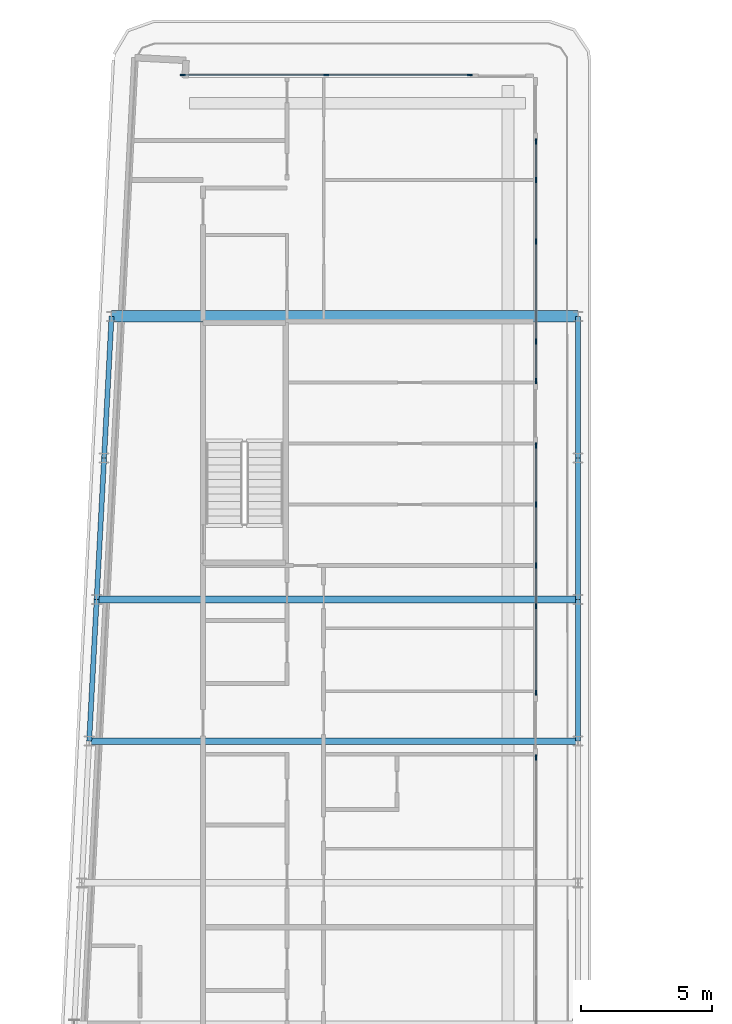
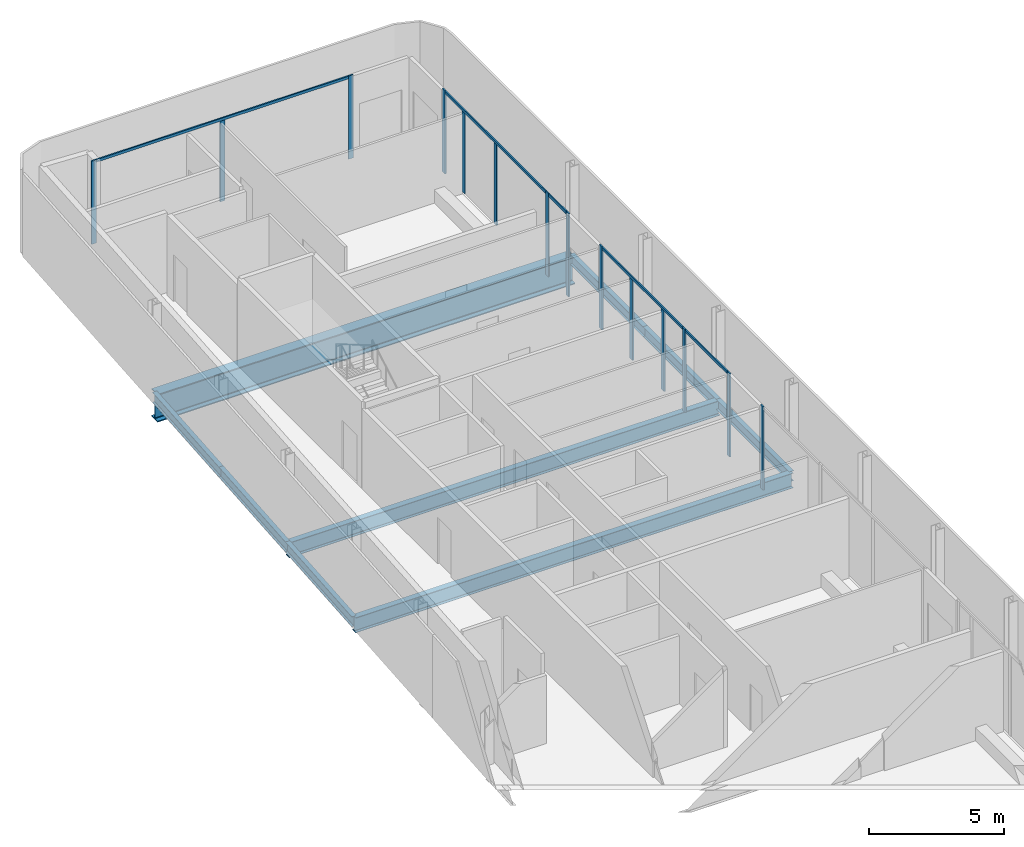
# One storey, part 6 of 18: 19 members, 9 beams, 6 elements without a shape of their own.
"""IFC4 building model written with IfcOpenShell, lengths in metres."""

import ifcopenshell
import ifcopenshell.guid

model = None  # the IFC model being written
_history = None  # IfcOwnerHistory: only IFC2X3 demands one
_inside = {}  # id of a spatial element -> (the spatial element, [elements in it])
_under = {}  # id of a project, library or spatial element -> (it, [spatial elements below it])
_declared = {}  # id of a project -> (the project, [libraries it declares])
_typed = {}  # id of a type object -> (the type object, [elements of that type])
_made_of = {}  # id of a material, layer set ... -> (it, [elements and type objects made of it])


def new_model(schema):
    """Start an empty IFC model of exactly this schema.

    Asked for "IFC4X3", IfcOpenShell would pick the latest addendum, in which some entities
    have other attributes; the version numbers below select the first issue.
    IFC2X3 requires an IfcOwnerHistory on every rooted entity: one is made here for all.
    """
    global model, _history
    if schema == "IFC4X3":
        model = ifcopenshell.file(schema_version=(4, 3, 0, 0))
    else:
        model = ifcopenshell.file(schema=schema)
    _inside.clear()
    _under.clear()
    _declared.clear()
    _typed.clear()
    _made_of.clear()
    _history = None
    if model.schema == "IFC2X3":
        org = make("IfcOrganization", Name="unknown")
        user = make(
            "IfcPersonAndOrganization",
            ThePerson=make("IfcPerson", FamilyName="unknown"),
            TheOrganization=org,
        )
        app = make(
            "IfcApplication",
            ApplicationDeveloper=org,
            Version="unknown",
            ApplicationFullName="unknown",
            ApplicationIdentifier="unknown",
        )
        _history = make(
            "IfcOwnerHistory",
            OwningUser=user,
            OwningApplication=app,
            ChangeAction="ADDED",
            CreationDate=0,
        )
    return model


def make(cls, **values):
    """One entity of the class cls with the attributes given. An attribute that is None is left unset."""
    return model.create_entity(
        cls, **{name: value for name, value in values.items() if value is not None}
    )


def rooted(cls, **values):
    """An entity with a GlobalId (a new one), such as an element, a storey or a relation."""
    return make(cls, GlobalId=ifcopenshell.guid.new(), OwnerHistory=_history, **values)


def si_unit(unit_type, name, prefix=None):
    """IfcSIUnit, for example si_unit("LENGTHUNIT", "METRE", prefix="MILLI")."""
    return make("IfcSIUnit", UnitType=unit_type, Prefix=prefix, Name=name)


def assignment(units):
    """IfcUnitAssignment: the units of a project."""
    return None if units is None else make("IfcUnitAssignment", Units=units)


def point(xyz):
    """IfcCartesianPoint."""
    return None if xyz is None else make("IfcCartesianPoint", Coordinates=xyz)


def direction(xyz):
    """IfcDirection."""
    return None if xyz is None else make("IfcDirection", DirectionRatios=xyz)


def frame(location, z_axis=None, x_axis=None):
    """IfcAxis2Placement3D, a coordinate frame: its origin and axes. An axis left out is left unset."""
    return make(
        "IfcAxis2Placement3D",
        Location=point(location),
        Axis=direction(z_axis),
        RefDirection=direction(x_axis),
    )


def frame_2d(location, x_axis=None):
    """IfcAxis2Placement2D, a coordinate frame in the plane: its origin and x axis."""
    return make(
        "IfcAxis2Placement2D", Location=point(location), RefDirection=direction(x_axis)
    )


def origin():
    """The frame at (0, 0, 0) with its axes left unset."""
    return frame((0.0, 0.0, 0.0))


def origin_2d():
    """The frame at (0, 0) in the plane with its x axis left unset."""
    return frame_2d((0.0, 0.0))


def place(relative_to, where):
    """IfcLocalPlacement: puts the frame where relative to a parent placement (None: the world)."""
    return make(
        "IfcLocalPlacement", PlacementRelTo=relative_to, RelativePlacement=where
    )


def context(
    kind, dimensions, precision=None, world=None, true_north=None, identifier=None
):
    """IfcGeometricRepresentationContext, for example the 3D "Model" context."""
    return make(
        "IfcGeometricRepresentationContext",
        ContextIdentifier=identifier,
        ContextType=kind,
        CoordinateSpaceDimension=dimensions,
        Precision=precision,
        WorldCoordinateSystem=world,
        TrueNorth=true_north,
    )


def subcontext(parent, identifier, kind, view, scale=None):
    """IfcGeometricRepresentationSubContext, for example "Body" below "Model"."""
    return make(
        "IfcGeometricRepresentationSubContext",
        ContextIdentifier=identifier,
        ContextType=kind,
        ParentContext=parent,
        TargetScale=scale,
        TargetView=view,
    )


def project(units=None, contexts=None):
    """IfcProject with its units and contexts."""
    return rooted(
        "IfcProject",
        Name="project",
        RepresentationContexts=contexts,
        UnitsInContext=assignment(units),
    )


def spatial(cls, under=None, at=None, **own):
    """A site, building, storey or space (cls), placed at a placement, below another one or the project."""
    s = rooted(cls, ObjectPlacement=at, **own)
    if under is not None:
        _under.setdefault(under.id(), (under, []))[1].append(s)
    return s


def profile(cls, at=None, kind="AREA", **sizes):
    """A parametric profile (cls). Its sizes go by their IFC names, for example OverallWidth=200.0."""
    return make(cls, ProfileType=kind, Position=at, **sizes)


def rectangle(**sizes):
    """IfcRectangleProfileDef."""
    return profile("IfcRectangleProfileDef", **sizes)


def i_section(**sizes):
    """IfcIShapeProfileDef."""
    return profile("IfcIShapeProfileDef", **sizes)


def extrude(swept, where, along, depth):
    """IfcExtrudedAreaSolid: the profile swept, set in the frame where, extruded along a direction by depth."""
    return make(
        "IfcExtrudedAreaSolid",
        SweptArea=swept,
        Position=where,
        ExtrudedDirection=direction(along),
        Depth=depth,
    )


def shape(context_of_items, identifier, shape_type, items):
    """IfcShapeRepresentation: the items that make up one representation, for example the "Body"."""
    return make(
        "IfcShapeRepresentation",
        ContextOfItems=context_of_items,
        RepresentationIdentifier=identifier,
        RepresentationType=shape_type,
        Items=items,
    )


def material(Name=None, Category=None):
    """IfcMaterial."""
    return make("IfcMaterial", Name=Name, Category=Category)


def layer(
    of_material, thickness, ventilated=None, Name=None, Category=None, Priority=None
):
    """IfcMaterialLayer: one layer of a wall or slab, of a material (None: an air gap)."""
    return make(
        "IfcMaterialLayer",
        Material=of_material,
        LayerThickness=thickness,
        IsVentilated=ventilated,
        Name=Name,
        Category=Category,
        Priority=Priority,
    )


def layer_set(layers, Name=None):
    """IfcMaterialLayerSet."""
    return make("IfcMaterialLayerSet", MaterialLayers=layers, LayerSetName=Name)


def material_profile(
    of_material, cross_section, Name=None, Category=None, Priority=None
):
    """IfcMaterialProfile: a cross section and its material."""
    return make(
        "IfcMaterialProfile",
        Name=Name,
        Material=of_material,
        Profile=cross_section,
        Priority=Priority,
        Category=Category,
    )


def profile_set(profiles, Name=None, composite=None):
    """IfcMaterialProfileSet."""
    return make(
        "IfcMaterialProfileSet",
        Name=Name,
        MaterialProfiles=profiles,
        CompositeProfile=composite,
    )


def made_of(thing, what):
    """Note that an element or type object is made of a material, layer set ...; save() writes the relation."""
    if what is not None:
        _made_of.setdefault(what.id(), (what, []))[1].append(thing)
    return thing


def type_object(cls, material=None, **own):
    """A type object (cls), such as IfcWallType, which elements share."""
    return made_of(rooted(cls, **own), material)


def element(
    cls,
    number,
    at=None,
    inside=None,
    cuts=None,
    type_object=None,
    material=None,
    context=None,
    identifier="Body",
    shape_type=None,
    held_by="IfcProductDefinitionShape",
    body=None,
    shapes=None,
    **own,
):
    """One element of the class cls, such as IfcWall. Its Tag is "e" and its number.

    at: its placement. inside: the storey or other place that contains it. cuts: it is an
    opening in that element (IfcRelVoidsElement). A single representation is given by context,
    identifier, shape_type and body (its items); several are given by shapes. held_by: the class
    of the entity that holds the representations. save() writes the other relations.
    """
    e = rooted(cls, Tag="e%d" % number, ObjectPlacement=at, **own)
    if body is not None:
        shapes = [shape(context, identifier, shape_type, body)]
    if shapes is not None:
        e.Representation = make(held_by, Representations=shapes)
    if inside is not None:
        _inside.setdefault(inside.id(), (inside, []))[1].append(e)
    if cuts is not None:
        rooted(
            "IfcRelVoidsElement", RelatingBuildingElement=cuts, RelatedOpeningElement=e
        )
    if type_object is not None:
        _typed.setdefault(type_object.id(), (type_object, []))[1].append(e)
    return made_of(e, material)


def aggregate(whole, parts):
    """IfcRelAggregates: a whole, such as a stair, and the parts it consists of."""
    return rooted("IfcRelAggregates", RelatingObject=whole, RelatedObjects=parts)


def save(model, path):
    """Write the relations noted so far, then the file.

    IfcRelAggregates (storeys below a building ...), IfcRelContainedInSpatialStructure (elements
    in a storey), IfcRelDefinesByType, IfcRelAssociatesMaterial and IfcRelDeclares: one each for
    every whole, place, type object, material and project.
    """
    for whole, parts in _under.values():
        aggregate(whole, parts)
    for where, things in _inside.values():
        rooted(
            "IfcRelContainedInSpatialStructure",
            RelatedElements=things,
            RelatingStructure=where,
        )
    for kind, things in _typed.values():
        rooted("IfcRelDefinesByType", RelatedObjects=things, RelatingType=kind)
    for what, things in _made_of.values():
        rooted("IfcRelAssociatesMaterial", RelatedObjects=things, RelatingMaterial=what)
    for by, libraries in _declared.values():
        rooted("IfcRelDeclares", RelatingContext=by, RelatedDefinitions=libraries)
    model.write(path)


model = new_model("IFC4")

# Units and contexts
model_context = context("Model", 3, precision=1e-05, world=origin(), true_north=direction((0.0, 1.0)))
body_context = subcontext(model_context, "Body", "Model", "MODEL_VIEW")
ifc_project = project(units=[si_unit("LENGTHUNIT", "METRE"), si_unit("AREAUNIT", "SQUARE_METRE"), si_unit("VOLUMEUNIT", "CUBIC_METRE"), si_unit("PLANEANGLEUNIT", "RADIAN"), si_unit("MASSUNIT", "GRAM", prefix="KILO")], contexts=[model_context])

# Site, building, storey
site_placement = place(None, origin())
site = spatial("IfcSite", under=ifc_project, at=site_placement, CompositionType="ELEMENT")
building_placement = place(site_placement, origin())
building = spatial("IfcBuilding", under=site, at=building_placement, Name="Kheshtan School and Residences Tower", CompositionType="ELEMENT")
storey_placement = place(building_placement, frame((0.0, 0.0, 361.699951171875)))
storey = spatial("IfcBuildingStorey", under=building, at=storey_placement, Name="L85", CompositionType="ELEMENT", Elevation=361.699951171875)

# Beams
ifc_material_1 = material(Name="Steel ASTM A992 Grade 50", Category="steel")
ifc_material_profile_1 = material_profile(ifc_material_1, i_section(OverallWidth=0.2529296875, OverallDepth=0.677978515625, WebThickness=0.01171875, FlangeThickness=0.016357421875, FilletRadius=0.0146484375, at=origin_2d()), Name="W690x125")
ifc_profile_set_1 = profile_set([ifc_material_profile_1], Name="Steel ASTM A992 Grade 50")
beam_type_1 = type_object("IfcBeamType", Name="Beam FB6 W690x125 ASTM A992 Grade 50", PredefinedType="BEAM", material=ifc_profile_set_1)
beam_1_placement = place(storey_placement, frame((47.60009765625, 78.0, -0.489013671875), z_axis=(-1.0, 0.0, 0.0), x_axis=(0.0, -1.0, 0.0)))
element("IfcBeam", 1, at=beam_1_placement, inside=storey, type_object=beam_type_1, Name="Floor beam C089", PredefinedType="BEAM", context=body_context, shape_type="SweptSolid", body=[
    extrude(i_section(OverallWidth=0.2529296875, OverallDepth=0.677978515625, WebThickness=0.01171875, FlangeThickness=0.016357421875, FilletRadius=0.0146484375, at=origin_2d()), origin(), (0.0, 0.0, 1.0), 18.357177734375),
])
beam_2_placement = place(storey_placement, frame((28.9580078125, 72.60009765625, -0.489013671875), z_axis=(1.0, 0.0, 0.0), x_axis=(0.0, 1.0, 0.0)))
element("IfcBeam", 2, at=beam_2_placement, inside=storey, type_object=beam_type_1, Name="Floor beam C086", PredefinedType="BEAM", context=body_context, shape_type="SweptSolid", body=[
    extrude(i_section(OverallWidth=0.2529296875, OverallDepth=0.677978515625, WebThickness=0.01171875, FlangeThickness=0.016357421875, FilletRadius=0.0146484375, at=origin_2d()), origin(), (0.0, 0.0, 1.0), 18.64208984375),
])
ifc_material_profile_2 = material_profile(ifc_material_1, i_section(OverallWidth=0.18994140625, OverallDepth=0.45703125, WebThickness=0.009033203125, FlangeThickness=0.014404296875, FilletRadius=0.01318359375, at=origin_2d()), Name="W460x74")
ifc_profile_set_2 = profile_set([ifc_material_profile_2], Name="Steel ASTM A992 Grade 50")
beam_type_2 = type_object("IfcBeamType", Name="Beam SP4 W460x74 ASTM A992 Grade 50", PredefinedType="BEAM", material=ifc_profile_set_2)
beam_3_placement = place(storey_placement, frame((47.60009765625, 88.800048828125, -0.37841796875), z_axis=(0.0, -1.0, 0.0), x_axis=(1.0, 0.0, 0.0)))
element("IfcBeam", 3, at=beam_3_placement, inside=storey, type_object=beam_type_2, Name="Spandrel beam C099-C091", PredefinedType="BEAM", context=body_context, shape_type="SweptSolid", body=[
    extrude(i_section(OverallWidth=0.18994140625, OverallDepth=0.45703125, WebThickness=0.009033203125, FlangeThickness=0.014404296875, FilletRadius=0.01318359375, at=origin_2d()), origin(), (0.0, 0.0, 1.0), 5.400146484375),
])
for number, where, z_axis, x_axis, name in (
    (4, (47.60009765625, 83.39990234375, -0.37841796875), (0.0, -1.0, 0.0), (1.0, 0.0, 0.0), "Spandrel beam C091-C089"),
    (5, (47.60009765625, 78.0, -0.37841796875), (0.0, -1.0, 0.0), (1.0, 0.0, 0.0), "Spandrel beam C089-C087"),
):
    element("IfcBeam", number, at=place(storey_placement, frame(where, z_axis=z_axis, x_axis=x_axis)), inside=storey, type_object=beam_type_2, Name=name, PredefinedType="BEAM", context=body_context, shape_type="SweptSolid", body=[
        extrude(i_section(OverallWidth=0.18994140625, OverallDepth=0.45703125, WebThickness=0.009033203125, FlangeThickness=0.014404296875, FilletRadius=0.01318359375, at=origin_2d()), origin(), (0.0, 0.0, 1.0), 5.39990234375),
    ])
for number, where, z_axis, x_axis, name in (
    (6, (28.9580078125, 72.60009765625, -0.37841796875), (0.052689166816, 0.998610961136, 0.0), (-0.998610961136, 0.052689166816, 0.0), "Spandrel beam C086-C088"),
    (7, (29.242919921875, 78.0, -0.37841796875), (0.052554093665, 0.998618078766, 0.0), (-0.998618078766, 0.052554093665, 0.0), "Spandrel beam C088-C090"),
):
    element("IfcBeam", number, at=place(storey_placement, frame(where, z_axis=z_axis, x_axis=x_axis)), inside=storey, type_object=beam_type_2, Name=name, PredefinedType="BEAM", context=body_context, shape_type="SweptSolid", body=[
        extrude(i_section(OverallWidth=0.18994140625, OverallDepth=0.45703125, WebThickness=0.009033203125, FlangeThickness=0.014404296875, FilletRadius=0.01318359375, at=origin_2d()), origin(), (0.0, 0.0, 1.0), 5.407470703125),
    ])
beam_4_placement = place(storey_placement, frame((29.527099609375, 83.39990234375, -0.37841796875), z_axis=(0.05250670125, 0.998620571751, 0.0), x_axis=(-0.998620571751, 0.05250670125, 0.0)))
element("IfcBeam", 8, at=beam_4_placement, inside=storey, type_object=beam_type_2, Name="Spandrel beam C090-C098", PredefinedType="BEAM", context=body_context, shape_type="SweptSolid", body=[
    extrude(i_section(OverallWidth=0.18994140625, OverallDepth=0.45703125, WebThickness=0.009033203125, FlangeThickness=0.014404296875, FilletRadius=0.01318359375, at=origin_2d()), origin(), (0.0, 0.0, 1.0), 5.40771484375),
])

# Curtain wall, members
ifc_material_2 = material(Name="Clear low-e glass in thermally broken aluminium frame", Category="aluminium")
ifc_layer = layer(ifc_material_2, 0.199951171875)
ifc_layer_set = layer_set([ifc_layer], Name="Curtain wall CW-L")
curtain_wall_type = type_object("IfcCurtainWallType", Name="Curtain wall CW-L", PredefinedType="NOTDEFINED", material=ifc_layer_set)
curtain_wall_1_placement = place(storey_placement, origin())
curtain_wall_1 = element("IfcCurtainWall", 9, at=curtain_wall_1_placement, inside=storey, type_object=curtain_wall_type, Name="Curtain wall CWL7", PredefinedType="NOTDEFINED")
ifc_material_3 = material(Name="Thermally broken aluminium, dark bronze anodised", Category="aluminium")
ifc_material_profile_3 = material_profile(ifc_material_3, rectangle(XDim=0.06005859375, YDim=0.199951171875, at=origin_2d()), Name="CW-L mullion 60x200")
ifc_profile_set_3 = profile_set([ifc_material_profile_3], Name="Thermally broken aluminium, dark bronze anodised")
member_type_1 = type_object("IfcMemberType", Name="CW-L mullion 60x200", PredefinedType="MULLION", material=ifc_profile_set_3)
member_1_placement = place(storey_placement, frame((32.52197265625, 98.0, 0.0), z_axis=(0.0, 0.0, 1.0), x_axis=(0.0, 1.0, 0.0)))
member_1 = element("IfcMember", 10, at=member_1_placement, type_object=member_type_1, Name="CWL7 mullion 1", PredefinedType="MULLION", context=body_context, shape_type="SweptSolid", body=[
    extrude(rectangle(XDim=0.06005859375, YDim=0.199951171875, at=origin_2d()), origin(), (0.0, 0.0, 1.0), 3.75),
])
member_2_placement = place(storey_placement, frame((37.99609375, 98.0, 0.0), z_axis=(0.0, 0.0, 1.0), x_axis=(0.0, 1.0, 0.0)))
member_2 = element("IfcMember", 11, at=member_2_placement, type_object=member_type_1, Name="CWL7 mullion 2", PredefinedType="MULLION", context=body_context, shape_type="SweptSolid", body=[
    extrude(rectangle(XDim=0.06005859375, YDim=0.199951171875, at=origin_2d()), origin(), (0.0, 0.0, 1.0), 3.630126953125),
])
member_3_placement = place(storey_placement, frame((43.469970703125, 98.0, 0.0), z_axis=(0.0, 0.0, 1.0), x_axis=(0.0, 1.0, 0.0)))
member_3 = element("IfcMember", 12, at=member_3_placement, type_object=member_type_1, Name="CWL7 mullion 3", PredefinedType="MULLION", context=body_context, shape_type="SweptSolid", body=[
    extrude(rectangle(XDim=0.06005859375, YDim=0.199951171875, at=origin_2d()), origin(), (0.0, 0.0, 1.0), 3.75),
])

curtain_wall_2_placement = place(storey_placement, origin())
curtain_wall_2 = element("IfcCurtainWall", 13, at=curtain_wall_2_placement, inside=storey, type_object=curtain_wall_type, Name="Curtain wall CWL8c", PredefinedType="NOTDEFINED")
member_4_placement = place(storey_placement, frame((46.0, 95.469970703125, 0.0), z_axis=(0.0, 0.0, 1.0), x_axis=(1.0, 0.0, 0.0)))
member_4 = element("IfcMember", 14, at=member_4_placement, type_object=member_type_1, Name="CWL8c mullion 1", PredefinedType="MULLION", context=body_context, shape_type="SweptSolid", body=[
    extrude(rectangle(XDim=0.06005859375, YDim=0.199951171875, at=origin_2d()), origin(), (0.0, 0.0, 1.0), 3.75),
])
member_5_placement = place(storey_placement, frame((46.0, 94.0, 0.0), z_axis=(0.0, 0.0, 1.0), x_axis=(1.0, 0.0, 0.0)))
member_5 = element("IfcMember", 15, at=member_5_placement, type_object=member_type_1, Name="CWL8c mullion 2", PredefinedType="MULLION", context=body_context, shape_type="SweptSolid", body=[
    extrude(rectangle(XDim=0.06005859375, YDim=0.199951171875, at=origin_2d()), origin(), (0.0, 0.0, 1.0), 3.630126953125),
])
member_6_placement = place(storey_placement, frame((46.0, 91.653076171875, 0.0), z_axis=(0.0, 0.0, 1.0), x_axis=(1.0, 0.0, 0.0)))
member_6 = element("IfcMember", 16, at=member_6_placement, type_object=member_type_1, Name="CWL8c mullion 3", PredefinedType="MULLION", context=body_context, shape_type="SweptSolid", body=[
    extrude(rectangle(XDim=0.06005859375, YDim=0.199951171875, at=origin_2d()), origin(), (0.0, 0.0, 1.0), 3.630126953125),
])
member_7_placement = place(storey_placement, frame((46.0, 87.8359375, 0.0), z_axis=(0.0, 0.0, 1.0), x_axis=(1.0, 0.0, 0.0)))
member_7 = element("IfcMember", 17, at=member_7_placement, type_object=member_type_1, Name="CWL8c mullion 4", PredefinedType="MULLION", context=body_context, shape_type="SweptSolid", body=[
    extrude(rectangle(XDim=0.06005859375, YDim=0.199951171875, at=origin_2d()), origin(), (0.0, 0.0, 1.0), 3.75),
])

# Curtain wall, member
curtain_wall_3_placement = place(storey_placement, origin())
curtain_wall_3 = element("IfcCurtainWall", 18, at=curtain_wall_3_placement, inside=storey, type_object=curtain_wall_type, Name="Curtain wall CWL8a", PredefinedType="NOTDEFINED")
member_8_placement = place(storey_placement, frame((46.0, 86.3359375, 0.0), z_axis=(0.0, 0.0, 1.0), x_axis=(1.0, 0.0, 0.0)))
member_8 = element("IfcMember", 19, at=member_8_placement, type_object=member_type_1, Name="CWL8a mullion 2", PredefinedType="MULLION", context=body_context, shape_type="SweptSolid", body=[
    extrude(rectangle(XDim=0.06005859375, YDim=0.199951171875, at=origin_2d()), origin(), (0.0, 0.0, 1.0), 3.75),
])

# Curtain wall, members
curtain_wall_4_placement = place(storey_placement, origin())
curtain_wall_4 = element("IfcCurtainWall", 20, at=curtain_wall_4_placement, inside=storey, type_object=curtain_wall_type, Name="Curtain wall CWL8b", PredefinedType="NOTDEFINED")
member_9_placement = place(storey_placement, frame((46.0, 83.8759765625, 0.0), z_axis=(0.0, 0.0, 1.0), x_axis=(1.0, 0.0, 0.0)))
member_9 = element("IfcMember", 21, at=member_9_placement, type_object=member_type_1, Name="CWL8b mullion 1", PredefinedType="MULLION", context=body_context, shape_type="SweptSolid", body=[
    extrude(rectangle(XDim=0.06005859375, YDim=0.199951171875, at=origin_2d()), origin(), (0.0, 0.0, 1.0), 3.75),
])
member_10_placement = place(storey_placement, frame((46.0, 81.625, 0.0), z_axis=(0.0, 0.0, 1.0), x_axis=(1.0, 0.0, 0.0)))
member_10 = element("IfcMember", 22, at=member_10_placement, type_object=member_type_1, Name="CWL8b mullion 2", PredefinedType="MULLION", context=body_context, shape_type="SweptSolid", body=[
    extrude(rectangle(XDim=0.06005859375, YDim=0.199951171875, at=origin_2d()), origin(), (0.0, 0.0, 1.0), 3.630126953125),
])
member_11_placement = place(storey_placement, frame((46.0, 79.300048828125, 0.0), z_axis=(0.0, 0.0, 1.0), x_axis=(1.0, 0.0, 0.0)))
member_11 = element("IfcMember", 23, at=member_11_placement, type_object=member_type_1, Name="CWL8b mullion 3", PredefinedType="MULLION", context=body_context, shape_type="SweptSolid", body=[
    extrude(rectangle(XDim=0.06005859375, YDim=0.199951171875, at=origin_2d()), origin(), (0.0, 0.0, 1.0), 3.630126953125),
])
member_12_placement = place(storey_placement, frame((46.0, 77.741943359375, 0.0), z_axis=(0.0, 0.0, 1.0), x_axis=(1.0, 0.0, 0.0)))
member_12 = element("IfcMember", 24, at=member_12_placement, type_object=member_type_1, Name="CWL8b mullion 4", PredefinedType="MULLION", context=body_context, shape_type="SweptSolid", body=[
    extrude(rectangle(XDim=0.06005859375, YDim=0.199951171875, at=origin_2d()), origin(), (0.0, 0.0, 1.0), 3.75),
])

# Curtain wall, member
curtain_wall_5_placement = place(storey_placement, origin())
curtain_wall_5 = element("IfcCurtainWall", 25, at=curtain_wall_5_placement, inside=storey, type_object=curtain_wall_type, Name="Curtain wall CWL8q", PredefinedType="NOTDEFINED")
member_13_placement = place(storey_placement, frame((46.0, 74.44189453125, 0.0), z_axis=(0.0, 0.0, 1.0), x_axis=(1.0, 0.0, 0.0)))
member_13 = element("IfcMember", 26, at=member_13_placement, type_object=member_type_1, Name="CWL8q mullion 2", PredefinedType="MULLION", context=body_context, shape_type="SweptSolid", body=[
    extrude(rectangle(XDim=0.06005859375, YDim=0.199951171875, at=origin_2d()), origin(), (0.0, 0.0, 1.0), 3.75),
])

curtain_wall_6_placement = place(storey_placement, origin())
curtain_wall_6 = element("IfcCurtainWall", 27, at=curtain_wall_6_placement, inside=storey, type_object=curtain_wall_type, Name="Curtain wall CWL8r", PredefinedType="NOTDEFINED")
member_14_placement = place(storey_placement, frame((46.0, 71.98193359375, 0.0), z_axis=(0.0, 0.0, 1.0), x_axis=(1.0, 0.0, 0.0)))
member_14 = element("IfcMember", 28, at=member_14_placement, type_object=member_type_1, Name="CWL8r mullion 1", PredefinedType="MULLION", context=body_context, shape_type="SweptSolid", body=[
    extrude(rectangle(XDim=0.06005859375, YDim=0.199951171875, at=origin_2d()), origin(), (0.0, 0.0, 1.0), 3.75),
])
aggregate(curtain_wall_6, [member_14])

# Member
ifc_material_profile_4 = material_profile(ifc_material_3, rectangle(XDim=0.06005859375, YDim=0.1201171875, at=origin_2d()), Name="CW-L transom 60x120")
ifc_profile_set_4 = profile_set([ifc_material_profile_4], Name="Thermally broken aluminium, dark bronze anodised")
member_type_2 = type_object("IfcMemberType", Name="CW-L transom 60x120", PredefinedType="USERDEFINED", material=ifc_profile_set_4)
member_15_placement = place(storey_placement, frame((32.552001953125, 98.0, 3.68994140625), z_axis=(1.0, 0.0, 0.0), x_axis=(0.0, 1.0, 0.0)))
member_15 = element("IfcMember", 29, at=member_15_placement, type_object=member_type_2, Name="CWL7 transom 1", ObjectType="TRANSOM", PredefinedType="USERDEFINED", context=body_context, shape_type="SweptSolid", body=[
    extrude(rectangle(XDim=0.06005859375, YDim=0.1201171875, at=origin_2d()), origin(), (0.0, 0.0, 1.0), 10.887939453125),
])

aggregate(curtain_wall_1, [member_1, member_2, member_3, member_15])

member_16_placement = place(storey_placement, frame((46.0, 95.43994140625, 3.68994140625), z_axis=(0.0, -1.0, 0.0), x_axis=(1.0, 0.0, 0.0)))
member_16 = element("IfcMember", 30, at=member_16_placement, type_object=member_type_2, Name="CWL8c transom 1", ObjectType="TRANSOM", PredefinedType="USERDEFINED", context=body_context, shape_type="SweptSolid", body=[
    extrude(rectangle(XDim=0.06005859375, YDim=0.1201171875, at=origin_2d()), origin(), (0.0, 0.0, 1.0), 7.573974609375),
])

aggregate(curtain_wall_2, [member_4, member_5, member_6, member_7, member_16])

member_17_placement = place(storey_placement, frame((46.0, 87.805908203125, 3.68994140625), z_axis=(0.0, -1.0, 0.0), x_axis=(1.0, 0.0, 0.0)))
member_17 = element("IfcMember", 31, at=member_17_placement, type_object=member_type_2, Name="CWL8a transom 1", ObjectType="TRANSOM", PredefinedType="USERDEFINED", context=body_context, shape_type="SweptSolid", body=[
    extrude(rectangle(XDim=0.06005859375, YDim=0.1201171875, at=origin_2d()), origin(), (0.0, 0.0, 1.0), 1.43994140625),
])

aggregate(curtain_wall_3, [member_8, member_17])

member_18_placement = place(storey_placement, frame((46.0, 83.845947265625, 3.68994140625), z_axis=(0.0, -1.0, 0.0), x_axis=(1.0, 0.0, 0.0)))
member_18 = element("IfcMember", 32, at=member_18_placement, type_object=member_type_2, Name="CWL8b transom 1", ObjectType="TRANSOM", PredefinedType="USERDEFINED", context=body_context, shape_type="SweptSolid", body=[
    extrude(rectangle(XDim=0.06005859375, YDim=0.1201171875, at=origin_2d()), origin(), (0.0, 0.0, 1.0), 6.073974609375),
])

aggregate(curtain_wall_4, [member_9, member_10, member_11, member_12, member_18])

member_19_placement = place(storey_placement, frame((46.0, 77.7119140625, 3.68994140625), z_axis=(0.0, -1.0, 0.0), x_axis=(1.0, 0.0, 0.0)))
member_19 = element("IfcMember", 33, at=member_19_placement, type_object=member_type_2, Name="CWL8q transom 1", ObjectType="TRANSOM", PredefinedType="USERDEFINED", context=body_context, shape_type="SweptSolid", body=[
    extrude(rectangle(XDim=0.06005859375, YDim=0.1201171875, at=origin_2d()), origin(), (0.0, 0.0, 1.0), 3.239990234375),
])

aggregate(curtain_wall_5, [member_13, member_19])

# Beam
ifc_material_profile_5 = material_profile(ifc_material_1, i_section(OverallWidth=0.449951171875, OverallDepth=1.25, WebThickness=0.02490234375, FlangeThickness=0.044921875, FilletRadius=0.03759765625, at=origin_2d()), Name="WWF1250x546")
ifc_profile_set_5 = profile_set([ifc_material_profile_5], Name="Steel ASTM A992 Grade 50")
beam_type_3 = type_object("IfcBeamType", Name="Transfer girder TG4 WWF1250x546 ASTM A992 Grade 50", PredefinedType="BEAM", material=ifc_profile_set_5)
beam_5_placement = place(storey_placement, frame((29.81103515625, 88.800048828125, -0.77490234375), z_axis=(1.0, 0.0, 0.0), x_axis=(0.0, 1.0, 0.0)))
element("IfcBeam", 34, at=beam_5_placement, inside=storey, type_object=beam_type_3, Name="Transfer girder C098-C099", PredefinedType="BEAM", context=body_context, shape_type="SweptSolid", body=[
    extrude(i_section(OverallWidth=0.449951171875, OverallDepth=1.25, WebThickness=0.02490234375, FlangeThickness=0.044921875, FilletRadius=0.03759765625, at=origin_2d()), origin(), (0.0, 0.0, 1.0), 17.7890625),
])

save(model, "model.ifc")
